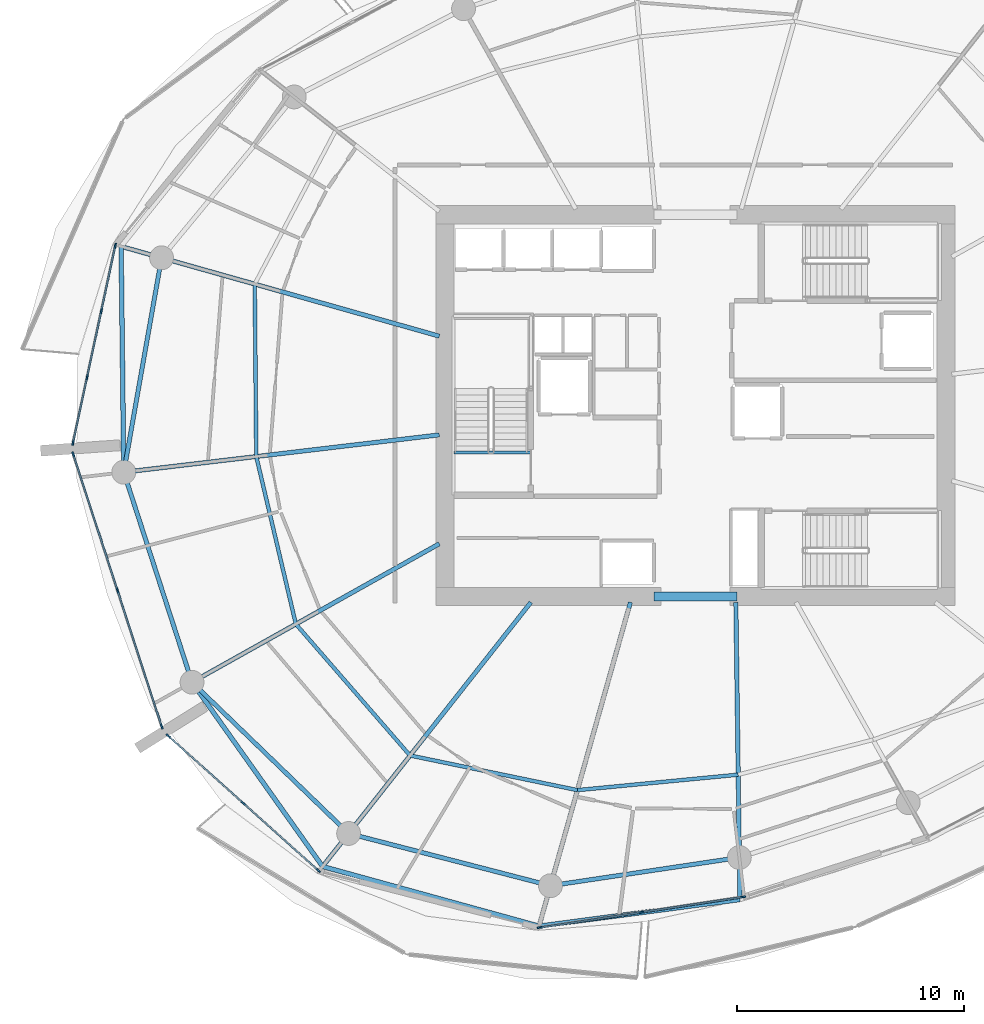
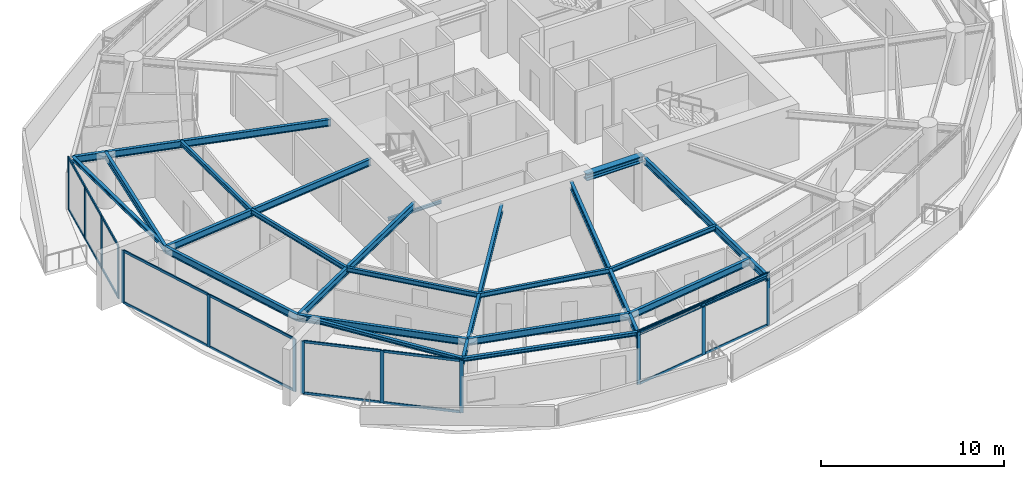
# One storey, part 5 of 20: 31 members, 22 beams, 4 elements without a shape of their own.
"""IFC4 building model written with IfcOpenShell, lengths in metres."""

from ifc_helpers import new_model, si_unit, direction, frame, origin, origin_2d, place, context, subcontext, project, spatial, rectangle, i_section, extrude, material, layer, layer_set, material_profile, profile_set, type_object, element, aggregate, save


model = new_model("IFC4")

# Units and contexts
model_context = context("Model", 3, precision=1e-05, world=origin(), true_north=direction((0.0, 1.0)))
body_context = subcontext(model_context, "Body", "Model", "MODEL_VIEW")
ifc_project = project(units=[si_unit("LENGTHUNIT", "METRE"), si_unit("AREAUNIT", "SQUARE_METRE"), si_unit("VOLUMEUNIT", "CUBIC_METRE"), si_unit("PLANEANGLEUNIT", "RADIAN"), si_unit("MASSUNIT", "GRAM", prefix="KILO")], contexts=[model_context])

# Site, building, storey
site_placement = place(None, origin())
site = spatial("IfcSite", under=ifc_project, at=site_placement, CompositionType="ELEMENT")
building_placement = place(site_placement, origin())
building = spatial("IfcBuilding", under=site, at=building_placement, Name="Kazma Halo Residences", CompositionType="ELEMENT")
storey_placement = place(building_placement, frame((0.0, 0.0, 169.050048828125)))
storey = spatial("IfcBuildingStorey", under=building, at=storey_placement, Name="L42", CompositionType="ELEMENT", Elevation=169.050048828125)

# Beams
ifc_material_1 = material(Name="Steel S355", Category="steel")
ifc_material_profile_1 = material_profile(ifc_material_1, i_section(OverallWidth=0.201904296875, OverallDepth=0.2470703125, WebThickness=0.00732421875, FlangeThickness=0.010986328125, FilletRadius=0.011962890625, at=origin_2d()), Name="W250x49.1")
ifc_profile_set_1 = profile_set([ifc_material_profile_1], Name="Steel S355")
beam_type_1 = type_object("IfcBeamType", Name="BM-BAL-CANT", PredefinedType="BEAM", material=ifc_profile_set_1)
beam_1_placement = place(storey_placement, frame((23.149658203125, 49.008544921875, 3.37646484375), z_axis=(0.011793371143, -0.99993045578, 0.0), x_axis=(0.99993045578, 0.011793371143, 0.0)))
element("IfcBeam", 1, at=beam_1_placement, inside=storey, type_object=beam_type_1, Name="L42 wave-balcony tie beam 07", PredefinedType="BEAM", context=body_context, shape_type="SweptSolid", body=[
    extrude(i_section(OverallWidth=0.201904296875, OverallDepth=0.2470703125, WebThickness=0.00732421875, FlangeThickness=0.010986328125, FilletRadius=0.011962890625, at=origin_2d()), origin(), (0.0, 0.0, 1.0), 9.936767578125),
])
beam_2_placement = place(storey_placement, frame((26.269775390625, 29.83056640625, 3.37646484375), z_axis=(0.578203432081, -0.81589263456, 0.0), x_axis=(0.81589263456, 0.578203432081, 0.0)))
element("IfcBeam", 2, at=beam_2_placement, inside=storey, type_object=beam_type_1, Name="L42 wave-balcony lead tie beam 09", PredefinedType="BEAM", context=body_context, shape_type="SweptSolid", body=[
    extrude(i_section(OverallWidth=0.201904296875, OverallDepth=0.2470703125, WebThickness=0.00732421875, FlangeThickness=0.010986328125, FilletRadius=0.011962890625, at=origin_2d()), origin(), (0.0, 0.0, 1.0), 9.9365234375),
])
beam_3_placement = place(storey_placement, frame((32.01513671875, 21.723388671875, 3.37646484375), z_axis=(0.964045237638, -0.265738179019, 0.0), x_axis=(0.265738179019, 0.964045237638, 0.0)))
element("IfcBeam", 3, at=beam_3_placement, inside=storey, type_object=beam_type_1, Name="L42 wave-balcony tie beam 10", PredefinedType="BEAM", context=body_context, shape_type="SweptSolid", body=[
    extrude(i_section(OverallWidth=0.201904296875, OverallDepth=0.2470703125, WebThickness=0.00732421875, FlangeThickness=0.010986328125, FilletRadius=0.011962890625, at=origin_2d()), origin(), (0.0, 0.0, 1.0), 9.880859375),
])
beam_4_placement = place(storey_placement, frame((41.540771484375, 19.09765625, 3.37646484375), z_axis=(0.991326402839, 0.13142284061, 0.0), x_axis=(-0.13142284061, 0.991326402839, 0.0)))
element("IfcBeam", 4, at=beam_4_placement, inside=storey, type_object=beam_type_1, Name="L42 wave-balcony tie beam 11", PredefinedType="BEAM", context=body_context, shape_type="SweptSolid", body=[
    extrude(i_section(OverallWidth=0.201904296875, OverallDepth=0.2470703125, WebThickness=0.00732421875, FlangeThickness=0.010986328125, FilletRadius=0.011962890625, at=origin_2d()), origin(), (0.0, 0.0, 1.0), 8.9150390625),
])
ifc_material_profile_2 = material_profile(ifc_material_1, i_section(OverallWidth=0.408935546875, OverallDepth=0.425048828125, WebThickness=0.03271484375, FlangeThickness=0.052490234375, FilletRadius=0.02001953125, at=origin_2d()), Name="W360x421")
ifc_profile_set_2 = profile_set([ifc_material_profile_2], Name="Steel S355")
beam_type_2 = type_object("IfcBeamType", Name="BM-CORE-W360H", PredefinedType="BEAM", material=ifc_profile_set_2)
beam_5_placement = place(storey_placement, frame((46.60009765625, 33.60009765625, 3.287353515625), z_axis=(1.0, 0.0, 0.0), x_axis=(0.0, 1.0, 0.0)))
element("IfcBeam", 5, at=beam_5_placement, inside=storey, type_object=beam_type_2, Name="L42 core coupling beam S", PredefinedType="BEAM", context=body_context, shape_type="SweptSolid", body=[
    extrude(i_section(OverallWidth=0.408935546875, OverallDepth=0.425048828125, WebThickness=0.03271484375, FlangeThickness=0.052490234375, FilletRadius=0.02001953125, at=origin_2d()), origin(), (0.0, 0.0, 1.0), 3.64990234375),
])
ifc_material_profile_3 = material_profile(ifc_material_1, i_section(OverallWidth=0.18994140625, OverallDepth=0.45703125, WebThickness=0.009033203125, FlangeThickness=0.014404296875, FilletRadius=0.01611328125, at=origin_2d()), Name="W460x74")
ifc_profile_set_3 = profile_set([ifc_material_profile_3], Name="Steel S355")
beam_type_3 = type_object("IfcBeamType", Name="BM-RAD-W460", PredefinedType="BEAM", material=ifc_profile_set_3)
beam_6_placement = place(storey_placement, frame((37.14990234375, 45.06005859375, 3.271484375), z_axis=(-0.962455072712, 0.271441030447, 0.0), x_axis=(-0.271441030447, -0.962455072712, 0.0)))
element("IfcBeam", 6, at=beam_6_placement, inside=storey, type_object=beam_type_3, Name="L42 radial floor beam 07", PredefinedType="BEAM", context=body_context, shape_type="SweptSolid", body=[
    extrude(i_section(OverallWidth=0.18994140625, OverallDepth=0.45703125, WebThickness=0.009033203125, FlangeThickness=0.014404296875, FilletRadius=0.01611328125, at=origin_2d()), origin(), (0.0, 0.0, 1.0), 14.54638671875),
])
beam_7_placement = place(storey_placement, frame((37.14990234375, 40.7158203125, 3.271484375), z_axis=(-0.993067267044, -0.117547450531, 0.0), x_axis=(0.117547450531, -0.993067267044, 0.0)))
element("IfcBeam", 7, at=beam_7_placement, inside=storey, type_object=beam_type_3, Name="L42 radial floor beam 08", PredefinedType="BEAM", context=body_context, shape_type="SweptSolid", body=[
    extrude(i_section(OverallWidth=0.18994140625, OverallDepth=0.45703125, WebThickness=0.009033203125, FlangeThickness=0.014404296875, FilletRadius=0.01611328125, at=origin_2d()), origin(), (0.0, 0.0, 1.0), 13.97998046875),
])
beam_8_placement = place(storey_placement, frame((37.14990234375, 35.923583984375, 3.271484375), z_axis=(-0.87250100809, -0.488612311431, 0.0), x_axis=(0.488612311431, -0.87250100809, 0.0)))
element("IfcBeam", 8, at=beam_8_placement, inside=storey, type_object=beam_type_3, Name="L42 radial floor beam 09", PredefinedType="BEAM", context=body_context, shape_type="SweptSolid", body=[
    extrude(i_section(OverallWidth=0.18994140625, OverallDepth=0.45703125, WebThickness=0.009033203125, FlangeThickness=0.014404296875, FilletRadius=0.01611328125, at=origin_2d()), origin(), (0.0, 0.0, 1.0), 12.469970703125),
])
beam_9_placement = place(storey_placement, frame((41.180908203125, 33.35009765625, 3.271484375), z_axis=(-0.619094498239, -0.785316498139, 0.0), x_axis=(0.785316498139, -0.619094498239, 0.0)))
element("IfcBeam", 9, at=beam_9_placement, inside=storey, type_object=beam_type_3, Name="L42 radial floor beam 10", PredefinedType="BEAM", context=body_context, shape_type="SweptSolid", body=[
    extrude(i_section(OverallWidth=0.18994140625, OverallDepth=0.45703125, WebThickness=0.009033203125, FlangeThickness=0.014404296875, FilletRadius=0.01611328125, at=origin_2d()), origin(), (0.0, 0.0, 1.0), 14.80517578125),
])
beam_10_placement = place(storey_placement, frame((45.560302734375, 33.35009765625, 3.271484375), z_axis=(-0.271435886816, -0.962456523355, 0.0), x_axis=(0.962456523355, -0.271435886816, 0.0)))
element("IfcBeam", 10, at=beam_10_placement, inside=storey, type_object=beam_type_3, Name="L42 radial floor beam 11", PredefinedType="BEAM", context=body_context, shape_type="SweptSolid", body=[
    extrude(i_section(OverallWidth=0.18994140625, OverallDepth=0.45703125, WebThickness=0.009033203125, FlangeThickness=0.014404296875, FilletRadius=0.01611328125, at=origin_2d()), origin(), (0.0, 0.0, 1.0), 14.808349609375),
])
beam_11_placement = place(storey_placement, frame((50.199951171875, 33.35009765625, 3.271484375), z_axis=(0.013642135434, -0.99990694174, 0.0), x_axis=(0.99990694174, 0.013642135434, 0.0)))
element("IfcBeam", 11, at=beam_11_placement, inside=storey, type_object=beam_type_3, Name="L42 radial floor beam 12", PredefinedType="BEAM", context=body_context, shape_type="SweptSolid", body=[
    extrude(i_section(OverallWidth=0.18994140625, OverallDepth=0.45703125, WebThickness=0.009033203125, FlangeThickness=0.014404296875, FilletRadius=0.01611328125, at=origin_2d()), origin(), (0.0, 0.0, 1.0), 13.08203125),
])
ifc_material_profile_4 = material_profile(ifc_material_1, i_section(OverallWidth=0.1650390625, OverallDepth=0.31005859375, WebThickness=0.005859375, FlangeThickness=0.009765625, FilletRadius=0.011962890625, at=origin_2d()), Name="W310x38.7")
ifc_profile_set_4 = profile_set([ifc_material_profile_4], Name="Steel S355")
beam_type_4 = type_object("IfcBeamType", Name="BM-SEC-W310B", PredefinedType="JOIST", material=ifc_profile_set_4)
beam_12_placement = place(storey_placement, frame((29.02978515625, 47.35009765625, 3.344970703125), z_axis=(0.008944876706, -0.99995999379, 0.0), x_axis=(0.99995999379, 0.008944876706, 0.0)))
element("IfcBeam", 12, at=beam_12_placement, inside=storey, type_object=beam_type_4, Name="L42 circumferential floor joist 07", PredefinedType="JOIST", context=body_context, shape_type="SweptSolid", body=[
    extrude(i_section(OverallWidth=0.1650390625, OverallDepth=0.31005859375, WebThickness=0.005859375, FlangeThickness=0.009765625, FilletRadius=0.011962890625, at=origin_2d()), origin(), (0.0, 0.0, 1.0), 7.587646484375),
])
beam_13_placement = place(storey_placement, frame((29.09765625, 39.7626953125, 3.344970703125), z_axis=(0.229897820601, -0.973214771817, 0.0), x_axis=(0.973214771817, 0.229897820601, 0.0)))
element("IfcBeam", 13, at=beam_13_placement, inside=storey, type_object=beam_type_4, Name="L42 circumferential floor joist 08", PredefinedType="JOIST", context=body_context, shape_type="SweptSolid", body=[
    extrude(i_section(OverallWidth=0.1650390625, OverallDepth=0.31005859375, WebThickness=0.005859375, FlangeThickness=0.009765625, FilletRadius=0.011962890625, at=origin_2d()), origin(), (0.0, 0.0, 1.0), 7.575927734375),
])
beam_14_placement = place(storey_placement, frame((30.83935546875, 32.3896484375, 3.344970703125), z_axis=(0.655935687589, -0.754816781575, 0.0), x_axis=(0.754816781575, 0.655935687589, 0.0)))
element("IfcBeam", 14, at=beam_14_placement, inside=storey, type_object=beam_type_4, Name="L42 circumferential floor joist 09", PredefinedType="JOIST", context=body_context, shape_type="SweptSolid", body=[
    extrude(i_section(OverallWidth=0.1650390625, OverallDepth=0.31005859375, WebThickness=0.005859375, FlangeThickness=0.009765625, FilletRadius=0.011962890625, at=origin_2d()), origin(), (0.0, 0.0, 1.0), 7.661376953125),
])
beam_15_placement = place(storey_placement, frame((35.86474609375, 26.606689453125, 3.344970703125), z_axis=(0.979272189631, -0.202548706773, 0.0), x_axis=(0.202548706773, 0.979272189631, 0.0)))
element("IfcBeam", 15, at=beam_15_placement, inside=storey, type_object=beam_type_4, Name="L42 circumferential floor joist 10", PredefinedType="JOIST", context=body_context, shape_type="SweptSolid", body=[
    extrude(i_section(OverallWidth=0.1650390625, OverallDepth=0.31005859375, WebThickness=0.005859375, FlangeThickness=0.009765625, FilletRadius=0.011962890625, at=origin_2d()), origin(), (0.0, 0.0, 1.0), 7.52001953125),
])
beam_16_placement = place(storey_placement, frame((43.22900390625, 25.08349609375, 3.344970703125), z_axis=(0.995416389983, 0.095635822539, 0.0), x_axis=(-0.095635822539, 0.995416389983, 0.0)))
element("IfcBeam", 16, at=beam_16_placement, inside=storey, type_object=beam_type_4, Name="L42 circumferential floor joist 11", PredefinedType="JOIST", context=body_context, shape_type="SweptSolid", body=[
    extrude(i_section(OverallWidth=0.1650390625, OverallDepth=0.31005859375, WebThickness=0.005859375, FlangeThickness=0.009765625, FilletRadius=0.011962890625, at=origin_2d()), origin(), (0.0, 0.0, 1.0), 7.10693359375),
])
ifc_material_profile_5 = material_profile(ifc_material_1, i_section(OverallWidth=0.18994140625, OverallDepth=0.45703125, WebThickness=0.009033203125, FlangeThickness=0.014404296875, FilletRadius=0.01611328125, at=origin_2d()), Name="W460x74")
ifc_profile_set_5 = profile_set([ifc_material_profile_5], Name="Steel S355")
beam_type_5 = type_object("IfcBeamType", Name="BM-SPN-W460", PredefinedType="BEAM", material=ifc_profile_set_5)
beam_17_placement = place(storey_placement, frame((24.93017578125, 48.50634765625, 3.271484375), z_axis=(-0.173637033425, -0.984809717978, 0.0), x_axis=(0.984809717978, -0.173637033425, 0.0)))
element("IfcBeam", 17, at=beam_17_placement, inside=storey, type_object=beam_type_5, Name="L42 perimeter ring beam 07", PredefinedType="BEAM", context=body_context, shape_type="SweptSolid", body=[
    extrude(i_section(OverallWidth=0.18994140625, OverallDepth=0.45703125, WebThickness=0.009033203125, FlangeThickness=0.014404296875, FilletRadius=0.01611328125, at=origin_2d()), origin(), (0.0, 0.0, 1.0), 9.579345703125),
])
beam_18_placement = place(storey_placement, frame((23.266845703125, 39.072509765625, 3.271484375), z_axis=(0.309020741629, -0.95105529873, 0.0), x_axis=(0.95105529873, 0.309020741629, 0.0)))
element("IfcBeam", 18, at=beam_18_placement, inside=storey, type_object=beam_type_5, Name="L42 perimeter ring beam 08", PredefinedType="BEAM", context=body_context, shape_type="SweptSolid", body=[
    extrude(i_section(OverallWidth=0.18994140625, OverallDepth=0.45703125, WebThickness=0.009033203125, FlangeThickness=0.014404296875, FilletRadius=0.01611328125, at=origin_2d()), origin(), (0.0, 0.0, 1.0), 9.717529296875),
])
beam_19_placement = place(storey_placement, frame((26.269775390625, 29.83056640625, 3.271484375), z_axis=(0.719334705845, -0.694663645923, 0.0), x_axis=(0.694663645923, 0.719334705845, 0.0)))
element("IfcBeam", 19, at=beam_19_placement, inside=storey, type_object=beam_type_5, Name="L42 perimeter ring beam 09", PredefinedType="BEAM", context=body_context, shape_type="SweptSolid", body=[
    extrude(i_section(OverallWidth=0.18994140625, OverallDepth=0.45703125, WebThickness=0.009033203125, FlangeThickness=0.014404296875, FilletRadius=0.01611328125, at=origin_2d()), origin(), (0.0, 0.0, 1.0), 9.5791015625),
])
beam_20_placement = place(storey_placement, frame((33.160400390625, 23.17626953125, 3.271484375), z_axis=(0.968123664213, -0.250472694699, 0.0), x_axis=(0.250472694699, 0.968123664213, 0.0)))
element("IfcBeam", 20, at=beam_20_placement, inside=storey, type_object=beam_type_5, Name="L42 perimeter ring beam 10", PredefinedType="BEAM", context=body_context, shape_type="SweptSolid", body=[
    extrude(i_section(OverallWidth=0.18994140625, OverallDepth=0.45703125, WebThickness=0.009033203125, FlangeThickness=0.014404296875, FilletRadius=0.01611328125, at=origin_2d()), origin(), (0.0, 0.0, 1.0), 9.175048828125),
])
beam_21_placement = place(storey_placement, frame((42.04296875, 20.878173828125, 3.271484375), z_axis=(0.989037147603, 0.147666924735, 0.0), x_axis=(-0.147666924735, 0.989037147603, 0.0)))
element("IfcBeam", 21, at=beam_21_placement, inside=storey, type_object=beam_type_5, Name="L42 perimeter ring beam 11", PredefinedType="BEAM", context=body_context, shape_type="SweptSolid", body=[
    extrude(i_section(OverallWidth=0.18994140625, OverallDepth=0.45703125, WebThickness=0.009033203125, FlangeThickness=0.014404296875, FilletRadius=0.01611328125, at=origin_2d()), origin(), (0.0, 0.0, 1.0), 8.402099609375),
])
ifc_material_profile_6 = material_profile(ifc_material_1, i_section(OverallWidth=0.133056640625, OverallDepth=0.20703125, WebThickness=0.005859375, FlangeThickness=0.00830078125, FilletRadius=0.010009765625, at=origin_2d()), Name="W200x26.6")
ifc_profile_set_6 = profile_set([ifc_material_profile_6], Name="Steel S355")
beam_type_6 = type_object("IfcBeamType", Name="BM-TRIM-W200", PredefinedType="BEAM", material=ifc_profile_set_6)
beam_22_placement = place(storey_placement, frame((37.800048828125, 39.949951171875, -0.360107421875), z_axis=(1.0, 0.0, 0.0), x_axis=(0.0, 1.0, 0.0)))
element("IfcBeam", 22, at=beam_22_placement, inside=storey, type_object=beam_type_6, Name="L42 ST-01 floor landing support beam", PredefinedType="BEAM", context=body_context, shape_type="SweptSolid", body=[
    extrude(i_section(OverallWidth=0.133056640625, OverallDepth=0.20703125, WebThickness=0.005859375, FlangeThickness=0.00830078125, FilletRadius=0.010009765625, at=origin_2d()), origin(), (0.0, 0.0, 1.0), 3.3798828125),
])

# Curtain wall, members
ifc_material_2 = material(Name="Aluminium AW-6063 T6 and Triple-Silver Low-E Glass", Category="aluminium")
ifc_layer = layer(ifc_material_2, 0.219970703125)
ifc_layer_set = layer_set([ifc_layer], Name="Aluminium AW-6063 T6 and Triple-Silver Low-E Glass")
curtain_wall_type = type_object("IfcCurtainWallType", Name="CW-SYS-4", PredefinedType="NOTDEFINED", material=ifc_layer_set)
curtain_wall_1_placement = place(storey_placement, origin())
curtain_wall_1 = element("IfcCurtainWall", 23, at=curtain_wall_1_placement, inside=storey, type_object=curtain_wall_type, Name="L42 unitised curtain wall B07", PredefinedType="NOTDEFINED")
ifc_material_3 = material(Name="Aluminium AW-6063 T6", Category="aluminium")
ifc_material_profile_7 = material_profile(ifc_material_3, rectangle(XDim=0.074951171875, YDim=0.219970703125, at=origin_2d()), Name="CWM-75x220")
ifc_profile_set_7 = profile_set([ifc_material_profile_7], Name="Aluminium AW-6063 T6")
member_type_1 = type_object("IfcMemberType", Name="CW-SYS-4-MUL", PredefinedType="MULLION", material=ifc_profile_set_7)
member_1_placement = place(storey_placement, frame((22.894775390625, 49.04150390625, 0.0), z_axis=(0.0, 0.0, 1.0), x_axis=(0.977764957684, -0.209703809037, 0.0)))
member_1 = element("IfcMember", 24, at=member_1_placement, type_object=member_type_1, Name="CWS-4 mullion 1", PredefinedType="MULLION", context=body_context, shape_type="SweptSolid", body=[
    extrude(rectangle(XDim=0.074951171875, YDim=0.219970703125, at=origin_2d()), origin(), (0.0, 0.0, 1.0), 3.5),
])
member_2_placement = place(storey_placement, frame((22.27685546875, 46.160888671875, 0.0), z_axis=(0.0, 0.0, 1.0), x_axis=(0.977764957684, -0.209703809037, 0.0)))
member_2 = element("IfcMember", 25, at=member_2_placement, type_object=member_type_1, Name="CWS-4 mullion 2", PredefinedType="MULLION", context=body_context, shape_type="SweptSolid", body=[
    extrude(rectangle(XDim=0.074951171875, YDim=0.219970703125, at=origin_2d()), origin(), (0.0, 0.0, 1.0), 3.5),
])
member_3_placement = place(storey_placement, frame((21.6513671875, 43.24365234375, 0.0), z_axis=(0.0, 0.0, 1.0), x_axis=(0.977764957684, -0.209703809037, 0.0)))
member_3 = element("IfcMember", 26, at=member_3_placement, type_object=member_type_1, Name="CWS-4 mullion 3", PredefinedType="MULLION", context=body_context, shape_type="SweptSolid", body=[
    extrude(rectangle(XDim=0.074951171875, YDim=0.219970703125, at=origin_2d()), origin(), (0.0, 0.0, 1.0), 3.5),
])
member_4_placement = place(storey_placement, frame((21.033447265625, 40.36328125, 0.0), z_axis=(0.0, 0.0, 1.0), x_axis=(0.977764957684, -0.209703809037, 0.0)))
member_4 = element("IfcMember", 27, at=member_4_placement, type_object=member_type_1, Name="CWS-4 mullion 4", PredefinedType="MULLION", context=body_context, shape_type="SweptSolid", body=[
    extrude(rectangle(XDim=0.074951171875, YDim=0.219970703125, at=origin_2d()), origin(), (0.0, 0.0, 1.0), 3.5),
])

curtain_wall_2_placement = place(storey_placement, origin())
curtain_wall_2 = element("IfcCurtainWall", 28, at=curtain_wall_2_placement, inside=storey, type_object=curtain_wall_type, Name="L42 unitised curtain wall B08", PredefinedType="NOTDEFINED")
member_5_placement = place(storey_placement, frame((21.044189453125, 39.86572265625, 0.0), z_axis=(0.0, 0.0, 1.0), x_axis=(0.951057547609, 0.3090138203, 0.0)))
member_5 = element("IfcMember", 29, at=member_5_placement, type_object=member_type_1, Name="CWS-4 mullion 1", PredefinedType="MULLION", context=body_context, shape_type="SweptSolid", body=[
    extrude(rectangle(XDim=0.074951171875, YDim=0.219970703125, at=origin_2d()), origin(), (0.0, 0.0, 1.0), 3.5),
])
member_6_placement = place(storey_placement, frame((22.990966796875, 33.8740234375, 0.0), z_axis=(0.0, 0.0, 1.0), x_axis=(0.951057547609, 0.3090138203, 0.0)))
member_6 = element("IfcMember", 30, at=member_6_placement, type_object=member_type_1, Name="CWS-4 mullion 2", PredefinedType="MULLION", context=body_context, shape_type="SweptSolid", body=[
    extrude(rectangle(XDim=0.074951171875, YDim=0.219970703125, at=origin_2d()), origin(), (0.0, 0.0, 1.0), 3.5),
])
member_7_placement = place(storey_placement, frame((24.937744140625, 27.882568359375, 0.0), z_axis=(0.0, 0.0, 1.0), x_axis=(0.951057547609, 0.3090138203, 0.0)))
member_7 = element("IfcMember", 31, at=member_7_placement, type_object=member_type_1, Name="CWS-4 mullion 3", PredefinedType="MULLION", context=body_context, shape_type="SweptSolid", body=[
    extrude(rectangle(XDim=0.074951171875, YDim=0.219970703125, at=origin_2d()), origin(), (0.0, 0.0, 1.0), 3.5),
])

curtain_wall_3_placement = place(storey_placement, origin())
curtain_wall_3 = element("IfcCurtainWall", 32, at=curtain_wall_3_placement, inside=storey, type_object=curtain_wall_type, Name="L42 unitised curtain wall B09", PredefinedType="NOTDEFINED")
member_8_placement = place(storey_placement, frame((25.221435546875, 27.4736328125, 0.0), z_axis=(0.0, 0.0, 1.0), x_axis=(0.667770096247, 0.744367582957, 0.0)))
member_8 = element("IfcMember", 33, at=member_8_placement, type_object=member_type_1, Name="CWS-4 mullion 1", PredefinedType="MULLION", context=body_context, shape_type="SweptSolid", body=[
    extrude(rectangle(XDim=0.074951171875, YDim=0.219970703125, at=origin_2d()), origin(), (0.0, 0.0, 1.0), 3.5),
])
member_9_placement = place(storey_placement, frame((28.52490234375, 24.51025390625, 0.0), z_axis=(0.0, 0.0, 1.0), x_axis=(0.667770096247, 0.744367582957, 0.0)))
member_9 = element("IfcMember", 34, at=member_9_placement, type_object=member_type_1, Name="CWS-4 mullion 2", PredefinedType="MULLION", context=body_context, shape_type="SweptSolid", body=[
    extrude(rectangle(XDim=0.074951171875, YDim=0.219970703125, at=origin_2d()), origin(), (0.0, 0.0, 1.0), 3.5),
])
member_10_placement = place(storey_placement, frame((31.828369140625, 21.546630859375, 0.0), z_axis=(0.0, 0.0, 1.0), x_axis=(0.667770096247, 0.744367582957, 0.0)))
member_10 = element("IfcMember", 35, at=member_10_placement, type_object=member_type_1, Name="CWS-4 mullion 3", PredefinedType="MULLION", context=body_context, shape_type="SweptSolid", body=[
    extrude(rectangle(XDim=0.074951171875, YDim=0.219970703125, at=origin_2d()), origin(), (0.0, 0.0, 1.0), 3.5),
])

curtain_wall_4_placement = place(storey_placement, origin())
curtain_wall_4 = element("IfcCurtainWall", 36, at=curtain_wall_4_placement, inside=storey, type_object=curtain_wall_type, Name="L42 unitised curtain wall B11", PredefinedType="NOTDEFINED")
member_11_placement = place(storey_placement, frame((41.559326171875, 19.037109375, 0.0), z_axis=(0.0, 0.0, 1.0), x_axis=(-0.148821022686, 0.988864148004, 0.0)))
member_11 = element("IfcMember", 37, at=member_11_placement, type_object=member_type_1, Name="CWS-4 mullion 1", PredefinedType="MULLION", context=body_context, shape_type="SweptSolid", body=[
    extrude(rectangle(XDim=0.074951171875, YDim=0.219970703125, at=origin_2d()), origin(), (0.0, 0.0, 1.0), 3.5),
])
member_12_placement = place(storey_placement, frame((46.039794921875, 19.71142578125, 0.0), z_axis=(0.0, 0.0, 1.0), x_axis=(-0.148821022686, 0.988864148004, 0.0)))
member_12 = element("IfcMember", 38, at=member_12_placement, type_object=member_type_1, Name="CWS-4 mullion 2", PredefinedType="MULLION", context=body_context, shape_type="SweptSolid", body=[
    extrude(rectangle(XDim=0.074951171875, YDim=0.219970703125, at=origin_2d()), origin(), (0.0, 0.0, 1.0), 3.5),
])
member_13_placement = place(storey_placement, frame((50.5205078125, 20.3857421875, 0.0), z_axis=(0.0, 0.0, 1.0), x_axis=(-0.148821022686, 0.988864148004, 0.0)))
member_13 = element("IfcMember", 39, at=member_13_placement, type_object=member_type_1, Name="CWS-4 mullion 3", PredefinedType="MULLION", context=body_context, shape_type="SweptSolid", body=[
    extrude(rectangle(XDim=0.074951171875, YDim=0.219970703125, at=origin_2d()), origin(), (0.0, 0.0, 1.0), 3.5),
])

# Member
ifc_material_profile_8 = material_profile(ifc_material_3, rectangle(XDim=0.074951171875, YDim=0.1650390625, at=origin_2d()), Name="CWT-75x165")
ifc_profile_set_8 = profile_set([ifc_material_profile_8], Name="Aluminium AW-6063 T6")
member_type_2 = type_object("IfcMemberType", Name="CW-SYS-4-TRN", PredefinedType="USERDEFINED", material=ifc_profile_set_8)
member_14_placement = place(storey_placement, frame((22.886962890625, 49.0048828125, 0.037353515625), z_axis=(-0.209703309269, -0.977765064871, 0.0), x_axis=(0.977765064871, -0.209703309269, 0.0)))
member_14 = element("IfcMember", 40, at=member_14_placement, type_object=member_type_2, Name="CWS-4 transom 1.1", ObjectType="TRANSOM", PredefinedType="USERDEFINED", context=body_context, shape_type="SweptSolid", body=[
    extrude(rectangle(XDim=0.074951171875, YDim=0.1650390625, at=origin_2d()), origin(), (0.0, 0.0, 1.0), 2.870849609375),
])

member_15_placement = place(storey_placement, frame((22.886962890625, 49.0048828125, 3.46240234375), z_axis=(-0.209703309269, -0.977765064871, 0.0), x_axis=(0.977765064871, -0.209703309269, 0.0)))
member_15 = element("IfcMember", 41, at=member_15_placement, type_object=member_type_2, Name="CWS-4 transom 1.2", ObjectType="TRANSOM", PredefinedType="USERDEFINED", context=body_context, shape_type="SweptSolid", body=[
    extrude(rectangle(XDim=0.074951171875, YDim=0.1650390625, at=origin_2d()), origin(), (0.0, 0.0, 1.0), 2.870849609375),
])

member_16_placement = place(storey_placement, frame((22.26904296875, 46.124267578125, 0.037353515625), z_axis=(-0.209689601293, -0.977768004748, 0.0), x_axis=(0.977768004748, -0.209689601293, 0.0)))
member_16 = element("IfcMember", 42, at=member_16_placement, type_object=member_type_2, Name="CWS-4 transom 2.1", ObjectType="TRANSOM", PredefinedType="USERDEFINED", context=body_context, shape_type="SweptSolid", body=[
    extrude(rectangle(XDim=0.074951171875, YDim=0.1650390625, at=origin_2d()), origin(), (0.0, 0.0, 1.0), 2.908447265625),
])

member_17_placement = place(storey_placement, frame((22.26904296875, 46.124267578125, 3.46240234375), z_axis=(-0.209689601293, -0.977768004748, 0.0), x_axis=(0.977768004748, -0.209689601293, 0.0)))
member_17 = element("IfcMember", 43, at=member_17_placement, type_object=member_type_2, Name="CWS-4 transom 2.2", ObjectType="TRANSOM", PredefinedType="USERDEFINED", context=body_context, shape_type="SweptSolid", body=[
    extrude(rectangle(XDim=0.074951171875, YDim=0.1650390625, at=origin_2d()), origin(), (0.0, 0.0, 1.0), 2.908447265625),
])

member_18_placement = place(storey_placement, frame((21.643310546875, 43.20703125, 0.037353515625), z_axis=(-0.209703309269, -0.977765064871, 0.0), x_axis=(0.977765064871, -0.209703309269, 0.0)))
member_18 = element("IfcMember", 44, at=member_18_placement, type_object=member_type_2, Name="CWS-4 transom 3.1", ObjectType="TRANSOM", PredefinedType="USERDEFINED", context=body_context, shape_type="SweptSolid", body=[
    extrude(rectangle(XDim=0.074951171875, YDim=0.1650390625, at=origin_2d()), origin(), (0.0, 0.0, 1.0), 2.870849609375),
])

member_19_placement = place(storey_placement, frame((21.643310546875, 43.20703125, 3.46240234375), z_axis=(-0.209703309269, -0.977765064871, 0.0), x_axis=(0.977765064871, -0.209703309269, 0.0)))
member_19 = element("IfcMember", 45, at=member_19_placement, type_object=member_type_2, Name="CWS-4 transom 3.2", ObjectType="TRANSOM", PredefinedType="USERDEFINED", context=body_context, shape_type="SweptSolid", body=[
    extrude(rectangle(XDim=0.074951171875, YDim=0.1650390625, at=origin_2d()), origin(), (0.0, 0.0, 1.0), 2.870849609375),
])

aggregate(curtain_wall_1, [member_1, member_2, member_3, member_4, member_14, member_15, member_16, member_17, member_18, member_19])

member_20_placement = place(storey_placement, frame((21.0556640625, 39.830078125, 0.037353515625), z_axis=(0.309006258762, -0.95106000444, 0.0), x_axis=(0.95106000444, 0.309006258762, 0.0)))
member_20 = element("IfcMember", 46, at=member_20_placement, type_object=member_type_2, Name="CWS-4 transom 1.1", ObjectType="TRANSOM", PredefinedType="USERDEFINED", context=body_context, shape_type="SweptSolid", body=[
    extrude(rectangle(XDim=0.074951171875, YDim=0.1650390625, at=origin_2d()), origin(), (0.0, 0.0, 1.0), 6.22509765625),
])

member_21_placement = place(storey_placement, frame((21.0556640625, 39.830078125, 3.46240234375), z_axis=(0.309006258762, -0.95106000444, 0.0), x_axis=(0.95106000444, 0.309006258762, 0.0)))
member_21 = element("IfcMember", 47, at=member_21_placement, type_object=member_type_2, Name="CWS-4 transom 1.2", ObjectType="TRANSOM", PredefinedType="USERDEFINED", context=body_context, shape_type="SweptSolid", body=[
    extrude(rectangle(XDim=0.074951171875, YDim=0.1650390625, at=origin_2d()), origin(), (0.0, 0.0, 1.0), 6.22509765625),
])

member_22_placement = place(storey_placement, frame((23.00244140625, 33.83837890625, 0.037353515625), z_axis=(0.309017784977, -0.951056259413, 0.0), x_axis=(0.951056259413, 0.309017784977, 0.0)))
member_22 = element("IfcMember", 48, at=member_22_placement, type_object=member_type_2, Name="CWS-4 transom 2.1", ObjectType="TRANSOM", PredefinedType="USERDEFINED", context=body_context, shape_type="SweptSolid", body=[
    extrude(rectangle(XDim=0.074951171875, YDim=0.1650390625, at=origin_2d()), origin(), (0.0, 0.0, 1.0), 6.224853515625),
])

member_23_placement = place(storey_placement, frame((23.00244140625, 33.83837890625, 3.46240234375), z_axis=(0.309017784977, -0.951056259413, 0.0), x_axis=(0.951056259413, 0.309017784977, 0.0)))
member_23 = element("IfcMember", 49, at=member_23_placement, type_object=member_type_2, Name="CWS-4 transom 2.2", ObjectType="TRANSOM", PredefinedType="USERDEFINED", context=body_context, shape_type="SweptSolid", body=[
    extrude(rectangle(XDim=0.074951171875, YDim=0.1650390625, at=origin_2d()), origin(), (0.0, 0.0, 1.0), 6.224853515625),
])

aggregate(curtain_wall_2, [member_5, member_6, member_7, member_20, member_21, member_22, member_23])

member_24_placement = place(storey_placement, frame((25.24951171875, 27.44873046875, 0.037353515625), z_axis=(0.744344978888, -0.66779529229, 0.0), x_axis=(0.66779529229, 0.744344978888, 0.0)))
member_24 = element("IfcMember", 50, at=member_24_placement, type_object=member_type_2, Name="CWS-4 transom 1.1", ObjectType="TRANSOM", PredefinedType="USERDEFINED", context=body_context, shape_type="SweptSolid", body=[
    extrude(rectangle(XDim=0.074951171875, YDim=0.1650390625, at=origin_2d()), origin(), (0.0, 0.0, 1.0), 4.363037109375),
])

member_25_placement = place(storey_placement, frame((25.24951171875, 27.44873046875, 3.46240234375), z_axis=(0.744344978888, -0.66779529229, 0.0), x_axis=(0.66779529229, 0.744344978888, 0.0)))
member_25 = element("IfcMember", 51, at=member_25_placement, type_object=member_type_2, Name="CWS-4 transom 1.2", ObjectType="TRANSOM", PredefinedType="USERDEFINED", context=body_context, shape_type="SweptSolid", body=[
    extrude(rectangle(XDim=0.074951171875, YDim=0.1650390625, at=origin_2d()), origin(), (0.0, 0.0, 1.0), 4.363037109375),
])

member_26_placement = place(storey_placement, frame((28.552734375, 24.485107421875, 0.037353515625), z_axis=(0.744372794017, -0.667764287401, 0.0), x_axis=(0.667764287401, 0.744372794017, 0.0)))
member_26 = element("IfcMember", 52, at=member_26_placement, type_object=member_type_2, Name="CWS-4 transom 2.1", ObjectType="TRANSOM", PredefinedType="USERDEFINED", context=body_context, shape_type="SweptSolid", body=[
    extrude(rectangle(XDim=0.074951171875, YDim=0.1650390625, at=origin_2d()), origin(), (0.0, 0.0, 1.0), 4.36279296875),
])

member_27_placement = place(storey_placement, frame((28.552734375, 24.485107421875, 3.46240234375), z_axis=(0.744372794017, -0.667764287401, 0.0), x_axis=(0.667764287401, 0.744372794017, 0.0)))
member_27 = element("IfcMember", 53, at=member_27_placement, type_object=member_type_2, Name="CWS-4 transom 2.2", ObjectType="TRANSOM", PredefinedType="USERDEFINED", context=body_context, shape_type="SweptSolid", body=[
    extrude(rectangle(XDim=0.074951171875, YDim=0.1650390625, at=origin_2d()), origin(), (0.0, 0.0, 1.0), 4.36279296875),
])

aggregate(curtain_wall_3, [member_8, member_9, member_10, member_24, member_25, member_26, member_27])

member_28_placement = place(storey_placement, frame((41.596435546875, 19.042724609375, 0.037353515625), z_axis=(0.988866721231, 0.148803923478, 0.0), x_axis=(-0.148803923478, 0.988866721231, 0.0)))
member_28 = element("IfcMember", 54, at=member_28_placement, type_object=member_type_2, Name="CWS-4 transom 1.1", ObjectType="TRANSOM", PredefinedType="USERDEFINED", context=body_context, shape_type="SweptSolid", body=[
    extrude(rectangle(XDim=0.074951171875, YDim=0.1650390625, at=origin_2d()), origin(), (0.0, 0.0, 1.0), 4.4560546875),
])

member_29_placement = place(storey_placement, frame((41.596435546875, 19.042724609375, 3.46240234375), z_axis=(0.988866721231, 0.148803923478, 0.0), x_axis=(-0.148803923478, 0.988866721231, 0.0)))
member_29 = element("IfcMember", 55, at=member_29_placement, type_object=member_type_2, Name="CWS-4 transom 1.2", ObjectType="TRANSOM", PredefinedType="USERDEFINED", context=body_context, shape_type="SweptSolid", body=[
    extrude(rectangle(XDim=0.074951171875, YDim=0.1650390625, at=origin_2d()), origin(), (0.0, 0.0, 1.0), 4.4560546875),
])

member_30_placement = place(storey_placement, frame((46.076904296875, 19.717041015625, 0.037353515625), z_axis=(0.988866721231, 0.148803923478, 0.0), x_axis=(-0.148803923478, 0.988866721231, 0.0)))
member_30 = element("IfcMember", 56, at=member_30_placement, type_object=member_type_2, Name="CWS-4 transom 2.1", ObjectType="TRANSOM", PredefinedType="USERDEFINED", context=body_context, shape_type="SweptSolid", body=[
    extrude(rectangle(XDim=0.074951171875, YDim=0.1650390625, at=origin_2d()), origin(), (0.0, 0.0, 1.0), 4.4560546875),
])

member_31_placement = place(storey_placement, frame((46.076904296875, 19.717041015625, 3.46240234375), z_axis=(0.988866721231, 0.148803923478, 0.0), x_axis=(-0.148803923478, 0.988866721231, 0.0)))
member_31 = element("IfcMember", 57, at=member_31_placement, type_object=member_type_2, Name="CWS-4 transom 2.2", ObjectType="TRANSOM", PredefinedType="USERDEFINED", context=body_context, shape_type="SweptSolid", body=[
    extrude(rectangle(XDim=0.074951171875, YDim=0.1650390625, at=origin_2d()), origin(), (0.0, 0.0, 1.0), 4.4560546875),
])

aggregate(curtain_wall_4, [member_11, member_12, member_13, member_28, member_29, member_30, member_31])

save(model, "model.ifc")
